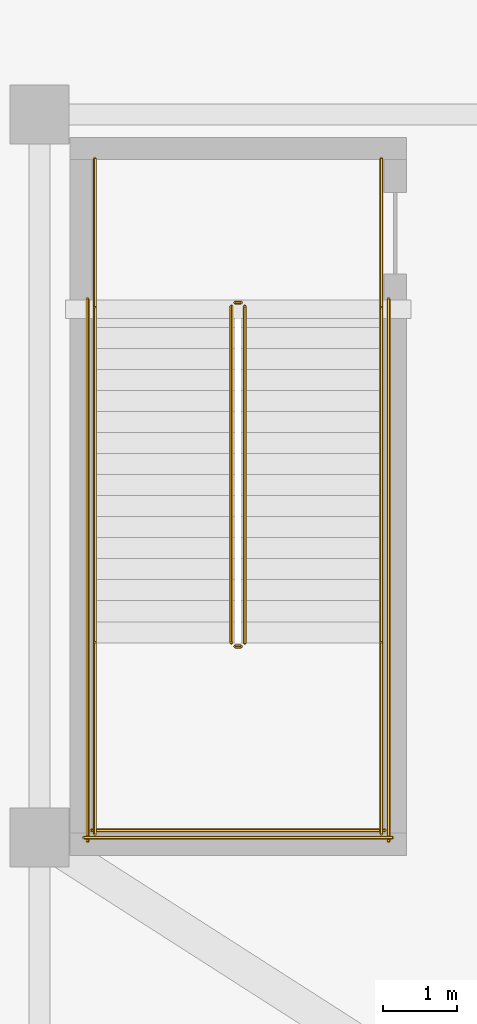
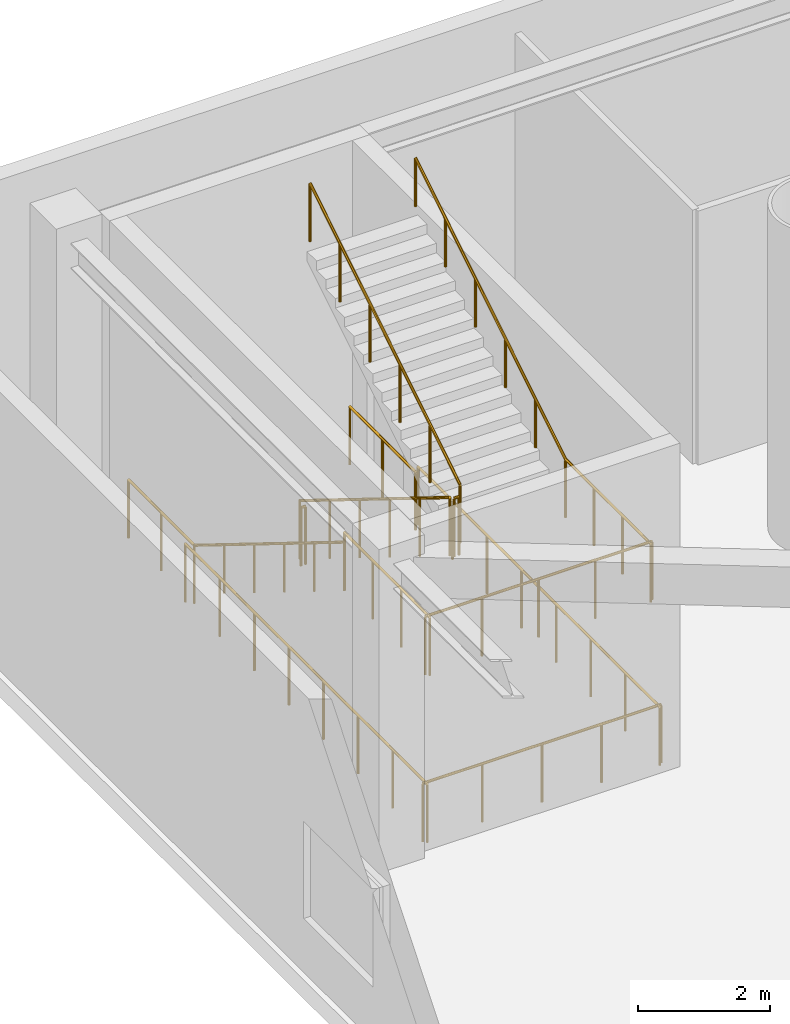
# One storey, part 15 of 17: 14 railings.
"""IFC4 building model written with IfcOpenShell, lengths in metres."""

from ifc_helpers import new_model, si_unit, direction, frame, origin, origin_2d, place, context, subcontext, project, spatial, circle, extrude, material, type_object, element, save


model = new_model("IFC4")

# Units and contexts
model_context = context("Model", 3, precision=1e-05, world=origin(), true_north=direction((0.0, 1.0)))
body_context = subcontext(model_context, "Body", "Model", "MODEL_VIEW")
ifc_project = project(units=[si_unit("LENGTHUNIT", "METRE"), si_unit("AREAUNIT", "SQUARE_METRE"), si_unit("VOLUMEUNIT", "CUBIC_METRE"), si_unit("PLANEANGLEUNIT", "RADIAN"), si_unit("MASSUNIT", "GRAM", prefix="KILO")], contexts=[model_context])

# Site, building, storey
site_placement = place(None, origin())
site = spatial("IfcSite", under=ifc_project, at=site_placement, CompositionType="ELEMENT")
building_placement = place(site_placement, origin())
building = spatial("IfcBuilding", under=site, at=building_placement, Name="Bramvorn Convention Spire", CompositionType="ELEMENT")
storey_placement = place(building_placement, frame((0.0, 0.0, 24.0)))
storey = spatial("IfcBuildingStorey", under=building, at=storey_placement, Name="L04", CompositionType="ELEMENT", Elevation=24.0)

# Railings
ifc_material_1 = material(Name="Painted Steel Balustrade & Guardrail", Category="steel")
railing_type_1 = type_object("IfcRailingType", Name="RL-STAIR-GUARD-1100", PredefinedType="GUARDRAIL", material=ifc_material_1)
railing_1_placement = place(storey_placement, frame((5.39990234375, 46.800048828125, 0.176513671875)))
element("IfcRailing", 1, at=railing_1_placement, inside=storey, type_object=railing_type_1, Name="L04 ST6 stair guard 1", PredefinedType="GUARDRAIL", context=body_context, shape_type="SweptSolid", body=[
    extrude(circle(Radius=0.02392578125, at=origin_2d()), frame((0.0, 0.0, 1.076171875), z_axis=(0.0, -0.850215668316, 0.526434532824), x_axis=(1.0, 0.0, 0.0)), (0.0, 0.0, 1.0), 5.363525390625),
    extrude(circle(Radius=0.02099609375, at=origin_2d()), origin(), (0.0, 0.0, 1.0), 1.052001953125),
    extrude(circle(Radius=0.02099609375, at=origin_2d()), frame((0.0, -0.912109375, 0.564697265625)), (0.0, 0.0, 1.0), 1.052001953125),
    extrude(circle(Radius=0.02099609375, at=origin_2d()), frame((0.0, -1.823974609375, 1.12939453125)), (0.0, 0.0, 1.0), 1.052001953125),
    extrude(circle(Radius=0.02099609375, at=origin_2d()), frame((0.0, -2.736083984375, 1.694091796875)), (0.0, 0.0, 1.0), 1.052001953125),
    extrude(circle(Radius=0.02099609375, at=origin_2d()), frame((0.0, -3.64794921875, 2.2587890625)), (0.0, 0.0, 1.0), 1.052001953125),
    extrude(circle(Radius=0.02099609375, at=origin_2d()), frame((0.0, -4.56005859375, 2.823486328125)), (0.0, 0.0, 1.0), 1.052001953125),
])
railing_2_placement = place(storey_placement, frame((5.449951171875, 42.18994140625, 3.0)))
element("IfcRailing", 2, at=railing_2_placement, inside=storey, type_object=railing_type_1, Name="L04 ST6 stair guard 2", PredefinedType="GUARDRAIL", context=body_context, shape_type="SweptSolid", body=[
    extrude(circle(Radius=0.02392578125, at=origin_2d()), frame((0.0, 0.0, 1.076171875), z_axis=(1.0, 0.0, 0.0), x_axis=(0.0, 1.0, 0.0)), (0.0, 0.0, 1.0), 0.080078125),
    extrude(circle(Radius=0.02099609375, at=origin_2d()), origin(), (0.0, 0.0, 1.0), 1.052001953125),
    extrude(circle(Radius=0.02099609375, at=origin_2d()), frame((0.080078125, 0.0, 0.0)), (0.0, 0.0, 1.0), 1.052001953125),
])
for number, where, name in (
    (3, (3.550048828125, 42.239990234375, 3.0), "L04 ST6 stair guard 3"),
    (4, (7.429931640625, 42.239990234375, 3.0), "L04 ST6 stair guard 4"),
):
    element("IfcRailing", number, at=place(storey_placement, frame(where)), inside=storey, type_object=railing_type_1, Name=name, PredefinedType="GUARDRAIL", context=body_context, shape_type="SweptSolid", body=[
        extrude(circle(Radius=0.02392578125, at=origin_2d()), frame((0.0, 0.0, 1.076171875), z_axis=(0.0, -1.0, 0.0), x_axis=(1.0, 0.0, 0.0)), (0.0, 0.0, 1.0), 2.590087890625),
        extrude(circle(Radius=0.02099609375, at=origin_2d()), origin(), (0.0, 0.0, 1.0), 1.052001953125),
        extrude(circle(Radius=0.02099609375, at=origin_2d()), frame((0.0, -0.86328125, 0.0)), (0.0, 0.0, 1.0), 1.052001953125),
        extrude(circle(Radius=0.02099609375, at=origin_2d()), frame((0.0, -1.726806640625, 0.0)), (0.0, 0.0, 1.0), 1.052001953125),
        extrude(circle(Radius=0.02099609375, at=origin_2d()), frame((0.0, -2.590087890625, 0.0)), (0.0, 0.0, 1.0), 1.052001953125),
    ])
railing_3_placement = place(storey_placement, frame((3.5, 39.699951171875, 3.0)))
element("IfcRailing", 5, at=railing_3_placement, inside=storey, type_object=railing_type_1, Name="L04 ST6 stair guard 5", PredefinedType="GUARDRAIL", context=body_context, shape_type="SweptSolid", body=[
    extrude(circle(Radius=0.02392578125, at=origin_2d()), frame((0.0, 0.0, 1.076171875), z_axis=(1.0, 0.0, 0.0), x_axis=(0.0, 1.0, 0.0)), (0.0, 0.0, 1.0), 3.97998046875),
    extrude(circle(Radius=0.02099609375, at=origin_2d()), origin(), (0.0, 0.0, 1.0), 1.052001953125),
    extrude(circle(Radius=0.02099609375, at=origin_2d()), frame((0.9951171875, 0.0, 0.0)), (0.0, 0.0, 1.0), 1.052001953125),
    extrude(circle(Radius=0.02099609375, at=origin_2d()), frame((1.989990234375, 0.0, 0.0)), (0.0, 0.0, 1.0), 1.052001953125),
    extrude(circle(Radius=0.02099609375, at=origin_2d()), frame((2.98486328125, 0.0, 0.0)), (0.0, 0.0, 1.0), 1.052001953125),
    extrude(circle(Radius=0.02099609375, at=origin_2d()), frame((3.97998046875, 0.0, 0.0)), (0.0, 0.0, 1.0), 1.052001953125),
])
railing_4_placement = place(storey_placement, frame((5.580078125, 42.239990234375, 3.176513671875)))
element("IfcRailing", 6, at=railing_4_placement, inside=storey, type_object=railing_type_1, Name="L04 ST6 stair guard 6", PredefinedType="GUARDRAIL", context=body_context, shape_type="SweptSolid", body=[
    extrude(circle(Radius=0.02392578125, at=origin_2d()), frame((0.0, 0.0, 1.076171875), z_axis=(0.0, 0.850215668316, 0.526434532824), x_axis=(-1.0, 0.0, 0.0)), (0.0, 0.0, 1.0), 5.363525390625),
    extrude(circle(Radius=0.02099609375, at=origin_2d()), origin(), (0.0, 0.0, 1.0), 1.052001953125),
    extrude(circle(Radius=0.02099609375, at=origin_2d()), frame((0.0, 0.912109375, 0.564697265625)), (0.0, 0.0, 1.0), 1.052001953125),
    extrude(circle(Radius=0.02099609375, at=origin_2d()), frame((0.0, 1.823974609375, 1.12939453125)), (0.0, 0.0, 1.0), 1.052001953125),
    extrude(circle(Radius=0.02099609375, at=origin_2d()), frame((0.0, 2.736083984375, 1.694091796875)), (0.0, 0.0, 1.0), 1.052001953125),
    extrude(circle(Radius=0.02099609375, at=origin_2d()), frame((0.0, 3.64794921875, 2.2587890625)), (0.0, 0.0, 1.0), 1.052001953125),
    extrude(circle(Radius=0.02099609375, at=origin_2d()), frame((0.0, 4.56005859375, 2.823486328125)), (0.0, 0.0, 1.0), 1.052001953125),
])
railing_5_placement = place(storey_placement, frame((5.449951171875, 46.85009765625, 0.0)))
element("IfcRailing", 7, at=railing_5_placement, inside=storey, type_object=railing_type_1, Name="L04 ST6 stair guard 7", PredefinedType="GUARDRAIL", context=body_context, shape_type="SweptSolid", body=[
    extrude(circle(Radius=0.02392578125, at=origin_2d()), frame((0.0, 0.0, 1.076171875), z_axis=(1.0, 0.0, 0.0), x_axis=(0.0, 1.0, 0.0)), (0.0, 0.0, 1.0), 0.080078125),
    extrude(circle(Radius=0.02099609375, at=origin_2d()), origin(), (0.0, 0.0, 1.0), 1.052001953125),
    extrude(circle(Radius=0.02099609375, at=origin_2d()), frame((0.080078125, 0.0, 0.0)), (0.0, 0.0, 1.0), 1.052001953125),
])
for number, where, name in (
    (8, (3.550048828125, 48.800048828125, 0.0), "L04 ST6 stair guard 8"),
    (9, (7.429931640625, 48.800048828125, 0.0), "L04 ST6 stair guard 9"),
):
    element("IfcRailing", number, at=place(storey_placement, frame(where)), inside=storey, type_object=railing_type_1, Name=name, PredefinedType="GUARDRAIL", context=body_context, shape_type="SweptSolid", body=[
        extrude(circle(Radius=0.02392578125, at=origin_2d()), frame((0.0, 0.0, 1.076171875), z_axis=(0.0, -1.0, 0.0), x_axis=(1.0, 0.0, 0.0)), (0.0, 0.0, 1.0), 2.0),
        extrude(circle(Radius=0.02099609375, at=origin_2d()), origin(), (0.0, 0.0, 1.0), 1.052001953125),
        extrude(circle(Radius=0.02099609375, at=origin_2d()), frame((0.0, -1.0, 0.0)), (0.0, 0.0, 1.0), 1.052001953125),
        extrude(circle(Radius=0.02099609375, at=origin_2d()), frame((0.0, -2.0, 0.0)), (0.0, 0.0, 1.0), 1.052001953125),
    ])
for number, where, name in (
    (10, (3.449951171875, 46.89990234375, 0.0), "L04 ST6 stair guard 10"),
    (11, (7.530029296875, 46.89990234375, 0.0), "L04 ST6 stair guard 11"),
):
    element("IfcRailing", number, at=place(storey_placement, frame(where)), inside=storey, type_object=railing_type_1, Name=name, PredefinedType="GUARDRAIL", context=body_context, shape_type="SweptSolid", body=[
        extrude(circle(Radius=0.02392578125, at=origin_2d()), frame((0.0, 0.0, 1.076171875), z_axis=(0.0, -1.0, 0.0), x_axis=(1.0, 0.0, 0.0)), (0.0, 0.0, 1.0), 7.349853515625),
        extrude(circle(Radius=0.02099609375, at=origin_2d()), origin(), (0.0, 0.0, 1.0), 1.052001953125),
        extrude(circle(Radius=0.02099609375, at=origin_2d()), frame((0.0, -1.050048828125, 0.0)), (0.0, 0.0, 1.0), 1.052001953125),
        extrude(circle(Radius=0.02099609375, at=origin_2d()), frame((0.0, -2.099853515625, 0.0)), (0.0, 0.0, 1.0), 1.052001953125),
        extrude(circle(Radius=0.02099609375, at=origin_2d()), frame((0.0, -3.14990234375, 0.0)), (0.0, 0.0, 1.0), 1.052001953125),
        extrude(circle(Radius=0.02099609375, at=origin_2d()), frame((0.0, -4.199951171875, 0.0)), (0.0, 0.0, 1.0), 1.052001953125),
        extrude(circle(Radius=0.02099609375, at=origin_2d()), frame((0.0, -5.25, 0.0)), (0.0, 0.0, 1.0), 1.052001953125),
        extrude(circle(Radius=0.02099609375, at=origin_2d()), frame((0.0, -6.2998046875, 0.0)), (0.0, 0.0, 1.0), 1.052001953125),
        extrude(circle(Radius=0.02099609375, at=origin_2d()), frame((0.0, -7.349853515625, 0.0)), (0.0, 0.0, 1.0), 1.052001953125),
    ])
railing_6_placement = place(storey_placement, frame((3.39990234375, 39.60009765625, 0.0)))
element("IfcRailing", 12, at=railing_6_placement, inside=storey, type_object=railing_type_1, Name="L04 ST6 stair guard 12", PredefinedType="GUARDRAIL", context=body_context, shape_type="SweptSolid", body=[
    extrude(circle(Radius=0.02392578125, at=origin_2d()), frame((0.0, 0.0, 1.076171875), z_axis=(1.0, 0.0, 0.0), x_axis=(0.0, 1.0, 0.0)), (0.0, 0.0, 1.0), 4.18017578125),
    extrude(circle(Radius=0.02099609375, at=origin_2d()), origin(), (0.0, 0.0, 1.0), 1.052001953125),
    extrude(circle(Radius=0.02099609375, at=origin_2d()), frame((1.044921875, 0.0, 0.0)), (0.0, 0.0, 1.0), 1.052001953125),
    extrude(circle(Radius=0.02099609375, at=origin_2d()), frame((2.090087890625, 0.0, 0.0)), (0.0, 0.0, 1.0), 1.052001953125),
    extrude(circle(Radius=0.02099609375, at=origin_2d()), frame((3.13525390625, 0.0, 0.0)), (0.0, 0.0, 1.0), 1.052001953125),
    extrude(circle(Radius=0.02099609375, at=origin_2d()), frame((4.18017578125, 0.0, 0.0)), (0.0, 0.0, 1.0), 1.052001953125),
])
ifc_material_2 = material(Name="Brushed Bronze Tubular Handrail", Category="aluminium")
railing_type_2 = type_object("IfcRailingType", Name="RL-STAIR-HR-920", PredefinedType="HANDRAIL", material=ifc_material_2)
railing_7_placement = place(storey_placement, frame((3.550048828125, 46.800048828125, 0.176513671875)))
element("IfcRailing", 13, at=railing_7_placement, inside=storey, type_object=railing_type_2, Name="L04 ST6 stair handrail 1", PredefinedType="HANDRAIL", context=body_context, shape_type="SweptSolid", body=[
    extrude(circle(Radius=0.02392578125, at=origin_2d()), frame((0.0, 0.0, 0.89599609375), z_axis=(0.0, -0.850215668316, 0.526434532824), x_axis=(1.0, 0.0, 0.0)), (0.0, 0.0, 1.0), 5.363525390625),
    extrude(circle(Radius=0.02099609375, at=origin_2d()), origin(), (0.0, 0.0, 1.0), 0.871826171875),
    extrude(circle(Radius=0.02099609375, at=origin_2d()), frame((0.0, -0.912109375, 0.564697265625)), (0.0, 0.0, 1.0), 0.871826171875),
    extrude(circle(Radius=0.02099609375, at=origin_2d()), frame((0.0, -1.823974609375, 1.12939453125)), (0.0, 0.0, 1.0), 0.871826171875),
    extrude(circle(Radius=0.02099609375, at=origin_2d()), frame((0.0, -2.736083984375, 1.694091796875)), (0.0, 0.0, 1.0), 0.871826171875),
    extrude(circle(Radius=0.02099609375, at=origin_2d()), frame((0.0, -3.64794921875, 2.2587890625)), (0.0, 0.0, 1.0), 0.871826171875),
    extrude(circle(Radius=0.02099609375, at=origin_2d()), frame((0.0, -4.56005859375, 2.823486328125)), (0.0, 0.0, 1.0), 0.871826171875),
])
railing_8_placement = place(storey_placement, frame((7.429931640625, 42.239990234375, 3.176513671875)))
element("IfcRailing", 14, at=railing_8_placement, inside=storey, type_object=railing_type_2, Name="L04 ST6 stair handrail 2", PredefinedType="HANDRAIL", context=body_context, shape_type="SweptSolid", body=[
    extrude(circle(Radius=0.02392578125, at=origin_2d()), frame((0.0, 0.0, 0.89599609375), z_axis=(0.0, 0.850215668316, 0.526434532824), x_axis=(-1.0, 0.0, 0.0)), (0.0, 0.0, 1.0), 5.363525390625),
    extrude(circle(Radius=0.02099609375, at=origin_2d()), origin(), (0.0, 0.0, 1.0), 0.871826171875),
    extrude(circle(Radius=0.02099609375, at=origin_2d()), frame((0.0, 0.912109375, 0.564697265625)), (0.0, 0.0, 1.0), 0.871826171875),
    extrude(circle(Radius=0.02099609375, at=origin_2d()), frame((0.0, 1.823974609375, 1.12939453125)), (0.0, 0.0, 1.0), 0.871826171875),
    extrude(circle(Radius=0.02099609375, at=origin_2d()), frame((0.0, 2.736083984375, 1.694091796875)), (0.0, 0.0, 1.0), 0.871826171875),
    extrude(circle(Radius=0.02099609375, at=origin_2d()), frame((0.0, 3.64794921875, 2.2587890625)), (0.0, 0.0, 1.0), 0.871826171875),
    extrude(circle(Radius=0.02099609375, at=origin_2d()), frame((0.0, 4.56005859375, 2.823486328125)), (0.0, 0.0, 1.0), 0.871826171875),
])

save(model, "model.ifc")
